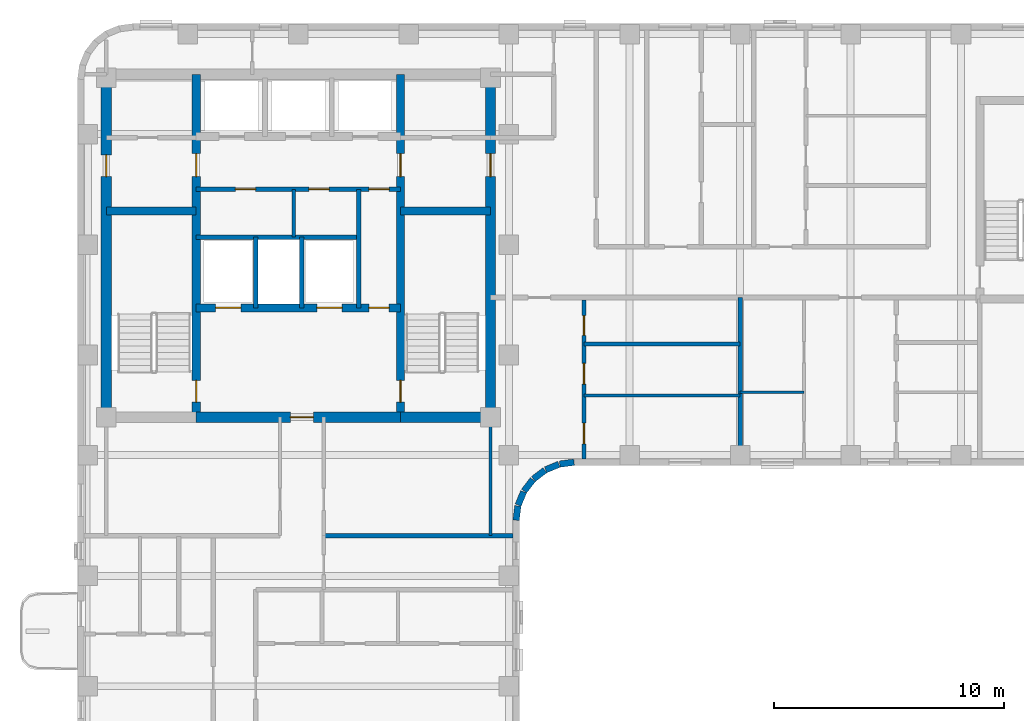
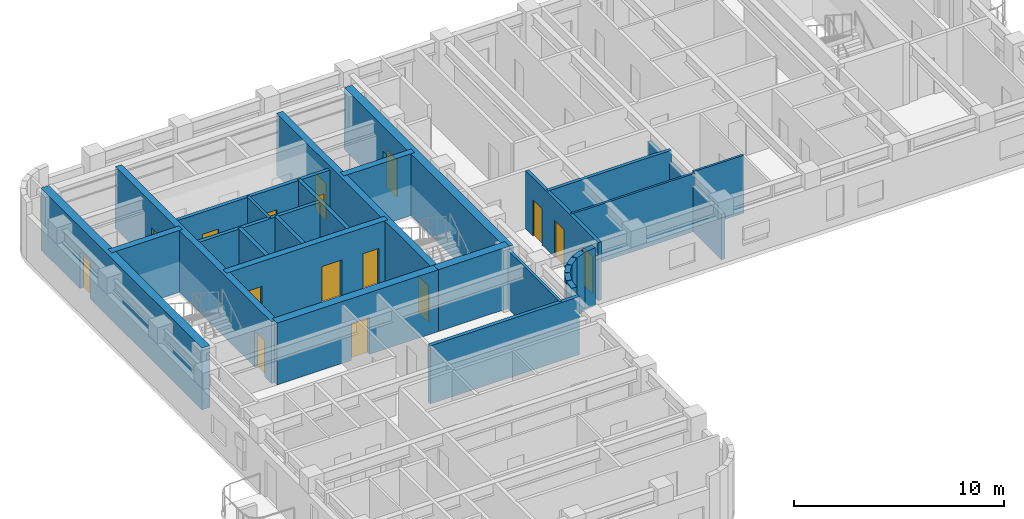
# One storey, part 4 of 10: 28 walls, 16 doors, 16 openings.
"""IFC4 building model written with IfcOpenShell, lengths in metres."""

import ifcopenshell
import ifcopenshell.guid

model = None  # the IFC model being written
_history = None  # IfcOwnerHistory: only IFC2X3 demands one
_inside = {}  # id of a spatial element -> (the spatial element, [elements in it])
_under = {}  # id of a project, library or spatial element -> (it, [spatial elements below it])
_declared = {}  # id of a project -> (the project, [libraries it declares])
_typed = {}  # id of a type object -> (the type object, [elements of that type])
_made_of = {}  # id of a material, layer set ... -> (it, [elements and type objects made of it])


def new_model(schema):
    """Start an empty IFC model of exactly this schema.

    Asked for "IFC4X3", IfcOpenShell would pick the latest addendum, in which some entities
    have other attributes; the version numbers below select the first issue.
    IFC2X3 requires an IfcOwnerHistory on every rooted entity: one is made here for all.
    """
    global model, _history
    if schema == "IFC4X3":
        model = ifcopenshell.file(schema_version=(4, 3, 0, 0))
    else:
        model = ifcopenshell.file(schema=schema)
    _inside.clear()
    _under.clear()
    _declared.clear()
    _typed.clear()
    _made_of.clear()
    _history = None
    if model.schema == "IFC2X3":
        org = make("IfcOrganization", Name="unknown")
        user = make(
            "IfcPersonAndOrganization",
            ThePerson=make("IfcPerson", FamilyName="unknown"),
            TheOrganization=org,
        )
        app = make(
            "IfcApplication",
            ApplicationDeveloper=org,
            Version="unknown",
            ApplicationFullName="unknown",
            ApplicationIdentifier="unknown",
        )
        _history = make(
            "IfcOwnerHistory",
            OwningUser=user,
            OwningApplication=app,
            ChangeAction="ADDED",
            CreationDate=0,
        )
    return model


def make(cls, **values):
    """One entity of the class cls with the attributes given. An attribute that is None is left unset."""
    return model.create_entity(
        cls, **{name: value for name, value in values.items() if value is not None}
    )


def rooted(cls, **values):
    """An entity with a GlobalId (a new one), such as an element, a storey or a relation."""
    return make(cls, GlobalId=ifcopenshell.guid.new(), OwnerHistory=_history, **values)


def si_unit(unit_type, name, prefix=None):
    """IfcSIUnit, for example si_unit("LENGTHUNIT", "METRE", prefix="MILLI")."""
    return make("IfcSIUnit", UnitType=unit_type, Prefix=prefix, Name=name)


def assignment(units):
    """IfcUnitAssignment: the units of a project."""
    return None if units is None else make("IfcUnitAssignment", Units=units)


def point(xyz):
    """IfcCartesianPoint."""
    return None if xyz is None else make("IfcCartesianPoint", Coordinates=xyz)


def direction(xyz):
    """IfcDirection."""
    return None if xyz is None else make("IfcDirection", DirectionRatios=xyz)


def frame(location, z_axis=None, x_axis=None):
    """IfcAxis2Placement3D, a coordinate frame: its origin and axes. An axis left out is left unset."""
    return make(
        "IfcAxis2Placement3D",
        Location=point(location),
        Axis=direction(z_axis),
        RefDirection=direction(x_axis),
    )


def frame_2d(location, x_axis=None):
    """IfcAxis2Placement2D, a coordinate frame in the plane: its origin and x axis."""
    return make(
        "IfcAxis2Placement2D", Location=point(location), RefDirection=direction(x_axis)
    )


def origin():
    """The frame at (0, 0, 0) with its axes left unset."""
    return frame((0.0, 0.0, 0.0))


def place(relative_to, where):
    """IfcLocalPlacement: puts the frame where relative to a parent placement (None: the world)."""
    return make(
        "IfcLocalPlacement", PlacementRelTo=relative_to, RelativePlacement=where
    )


def context(
    kind, dimensions, precision=None, world=None, true_north=None, identifier=None
):
    """IfcGeometricRepresentationContext, for example the 3D "Model" context."""
    return make(
        "IfcGeometricRepresentationContext",
        ContextIdentifier=identifier,
        ContextType=kind,
        CoordinateSpaceDimension=dimensions,
        Precision=precision,
        WorldCoordinateSystem=world,
        TrueNorth=true_north,
    )


def subcontext(parent, identifier, kind, view, scale=None):
    """IfcGeometricRepresentationSubContext, for example "Body" below "Model"."""
    return make(
        "IfcGeometricRepresentationSubContext",
        ContextIdentifier=identifier,
        ContextType=kind,
        ParentContext=parent,
        TargetScale=scale,
        TargetView=view,
    )


def project(units=None, contexts=None):
    """IfcProject with its units and contexts."""
    return rooted(
        "IfcProject",
        Name="project",
        RepresentationContexts=contexts,
        UnitsInContext=assignment(units),
    )


def spatial(cls, under=None, at=None, **own):
    """A site, building, storey or space (cls), placed at a placement, below another one or the project."""
    s = rooted(cls, ObjectPlacement=at, **own)
    if under is not None:
        _under.setdefault(under.id(), (under, []))[1].append(s)
    return s


def profile(cls, at=None, kind="AREA", **sizes):
    """A parametric profile (cls). Its sizes go by their IFC names, for example OverallWidth=200.0."""
    return make(cls, ProfileType=kind, Position=at, **sizes)


def rectangle(**sizes):
    """IfcRectangleProfileDef."""
    return profile("IfcRectangleProfileDef", **sizes)


def extrude(swept, where, along, depth):
    """IfcExtrudedAreaSolid: the profile swept, set in the frame where, extruded along a direction by depth."""
    return make(
        "IfcExtrudedAreaSolid",
        SweptArea=swept,
        Position=where,
        ExtrudedDirection=direction(along),
        Depth=depth,
    )


def shape(context_of_items, identifier, shape_type, items):
    """IfcShapeRepresentation: the items that make up one representation, for example the "Body"."""
    return make(
        "IfcShapeRepresentation",
        ContextOfItems=context_of_items,
        RepresentationIdentifier=identifier,
        RepresentationType=shape_type,
        Items=items,
    )


def material(Name=None, Category=None):
    """IfcMaterial."""
    return make("IfcMaterial", Name=Name, Category=Category)


def layer(
    of_material, thickness, ventilated=None, Name=None, Category=None, Priority=None
):
    """IfcMaterialLayer: one layer of a wall or slab, of a material (None: an air gap)."""
    return make(
        "IfcMaterialLayer",
        Material=of_material,
        LayerThickness=thickness,
        IsVentilated=ventilated,
        Name=Name,
        Category=Category,
        Priority=Priority,
    )


def layer_set(layers, Name=None):
    """IfcMaterialLayerSet."""
    return make("IfcMaterialLayerSet", MaterialLayers=layers, LayerSetName=Name)


def made_of(thing, what):
    """Note that an element or type object is made of a material, layer set ...; save() writes the relation."""
    if what is not None:
        _made_of.setdefault(what.id(), (what, []))[1].append(thing)
    return thing


def type_object(cls, material=None, **own):
    """A type object (cls), such as IfcWallType, which elements share."""
    return made_of(rooted(cls, **own), material)


def element(
    cls,
    number,
    at=None,
    inside=None,
    cuts=None,
    type_object=None,
    material=None,
    context=None,
    identifier="Body",
    shape_type=None,
    held_by="IfcProductDefinitionShape",
    body=None,
    shapes=None,
    **own,
):
    """One element of the class cls, such as IfcWall. Its Tag is "e" and its number.

    at: its placement. inside: the storey or other place that contains it. cuts: it is an
    opening in that element (IfcRelVoidsElement). A single representation is given by context,
    identifier, shape_type and body (its items); several are given by shapes. held_by: the class
    of the entity that holds the representations. save() writes the other relations.
    """
    e = rooted(cls, Tag="e%d" % number, ObjectPlacement=at, **own)
    if body is not None:
        shapes = [shape(context, identifier, shape_type, body)]
    if shapes is not None:
        e.Representation = make(held_by, Representations=shapes)
    if inside is not None:
        _inside.setdefault(inside.id(), (inside, []))[1].append(e)
    if cuts is not None:
        rooted(
            "IfcRelVoidsElement", RelatingBuildingElement=cuts, RelatedOpeningElement=e
        )
    if type_object is not None:
        _typed.setdefault(type_object.id(), (type_object, []))[1].append(e)
    return made_of(e, material)


def fill(opening, filler):
    """IfcRelFillsElement: the door or window that sits in an opening."""
    return rooted(
        "IfcRelFillsElement",
        RelatingOpeningElement=opening,
        RelatedBuildingElement=filler,
    )


def aggregate(whole, parts):
    """IfcRelAggregates: a whole, such as a stair, and the parts it consists of."""
    return rooted("IfcRelAggregates", RelatingObject=whole, RelatedObjects=parts)


def save(model, path):
    """Write the relations noted so far, then the file.

    IfcRelAggregates (storeys below a building ...), IfcRelContainedInSpatialStructure (elements
    in a storey), IfcRelDefinesByType, IfcRelAssociatesMaterial and IfcRelDeclares: one each for
    every whole, place, type object, material and project.
    """
    for whole, parts in _under.values():
        aggregate(whole, parts)
    for where, things in _inside.values():
        rooted(
            "IfcRelContainedInSpatialStructure",
            RelatedElements=things,
            RelatingStructure=where,
        )
    for kind, things in _typed.values():
        rooted("IfcRelDefinesByType", RelatedObjects=things, RelatingType=kind)
    for what, things in _made_of.values():
        rooted("IfcRelAssociatesMaterial", RelatedObjects=things, RelatingMaterial=what)
    for by, libraries in _declared.values():
        rooted("IfcRelDeclares", RelatingContext=by, RelatedDefinitions=libraries)
    model.write(path)


model = new_model("IFC4")

# Units and contexts
model_context = context("Model", 3, precision=1e-05, world=origin(), true_north=direction((0.0, 1.0)))
body_context = subcontext(model_context, "Body", "Model", "MODEL_VIEW")
ifc_project = project(units=[si_unit("LENGTHUNIT", "METRE"), si_unit("AREAUNIT", "SQUARE_METRE"), si_unit("VOLUMEUNIT", "CUBIC_METRE"), si_unit("PLANEANGLEUNIT", "RADIAN"), si_unit("MASSUNIT", "GRAM", prefix="KILO")], contexts=[model_context])

# Site, building, storey
site_placement = place(None, origin())
site = spatial("IfcSite", under=ifc_project, at=site_placement, CompositionType="ELEMENT")
building_placement = place(site_placement, origin())
building = spatial("IfcBuilding", under=site, at=building_placement, Name="Orvandelia Arch Residences", CompositionType="ELEMENT")
storey_placement = place(building_placement, frame((0.0, 0.0, 221.800048828125)))
storey = spatial("IfcBuildingStorey", under=building, at=storey_placement, Name="L58", CompositionType="ELEMENT", Elevation=221.800048828125)

# Wall, openings, doors
ifc_material_1 = material(Name="Concrete C50/60", Category="concrete")
ifc_layer_1 = layer(ifc_material_1, 0.35009765625, Name="Concrete C50/60", Category="concrete")
ifc_layer_set_1 = layer_set([ifc_layer_1], Name="Concrete C50/60")
wall_type_1 = type_object("IfcWallType", Name="WL-CORE-350", PredefinedType="SHEAR", material=ifc_layer_set_1)
wall_1_placement = place(storey_placement, frame((9.9599609375, 30.89990234375, 0.0), z_axis=(0.0, 0.0, 1.0), x_axis=(0.0, 1.0, 0.0)))
wall_1 = element("IfcWall", 1, at=wall_1_placement, inside=storey, type_object=wall_type_1, Name="Core Shear Wall L58-WEB1", PredefinedType="SHEAR", context=body_context, shape_type="SweptSolid", body=[
    extrude(rectangle(XDim=14.900146484375, YDim=0.35009765625, at=frame_2d((7.4501953125, 0.0))), origin(), (0.0, 0.0, 1.0), 3.599853515625),
])
opening_1_placement = place(wall_1_placement, frame((0.64990234375, 0.0, 0.0)))
opening_1 = element("IfcOpeningElement", 2, at=opening_1_placement, cuts=wall_1, Name="Opening D7", PredefinedType="OPENING", context=body_context, shape_type="SweptSolid", body=[
    extrude(rectangle(XDim=0.949951171875, YDim=2.10009765625, at=frame_2d((0.47509765625, 1.050048828125))), frame((0.0, 0.18505859375, 0.0), z_axis=(0.0, -1.0, 0.0), x_axis=(1.0, 0.0, 0.0)), (0.0, 0.0, 1.0), 0.3701171875),
])
opening_2_placement = place(wall_1_placement, frame((10.449951171875, 0.0, 0.0)))
opening_2 = element("IfcOpeningElement", 3, at=opening_2_placement, cuts=wall_1, Name="Opening D6", PredefinedType="OPENING", context=body_context, shape_type="SweptSolid", body=[
    extrude(rectangle(XDim=1.0, YDim=2.14990234375, at=frame_2d((0.5, 1.074951171875))), frame((0.0, 0.18505859375, 0.0), z_axis=(0.0, -1.0, 0.0), x_axis=(1.0, 0.0, 0.0)), (0.0, 0.0, 1.0), 0.3701171875),
])
ifc_material_2 = material(Name="Smokeproof Painted Steel Fire Door", Category="steel")
door_type_1 = type_object("IfcDoorType", Name="DR-FD60-1000", OperationType="NOTDEFINED", PredefinedType="DOOR", material=ifc_material_2)
door_1_placement = place(opening_2_placement, origin())
door_1 = element("IfcDoor", 4, at=door_1_placement, inside=storey, type_object=door_type_1, Name="High-Rise Lift Hall West Vestibule Door L58", OperationType="SINGLE_SWING_LEFT", OverallHeight=2.14990234375, OverallWidth=1.0, PredefinedType="DOOR", context=body_context, shape_type="SweptSolid", body=[
    extrude(rectangle(XDim=1.0, YDim=2.14990234375, at=frame_2d((0.5, 1.074951171875))), frame((0.0, 0.02490234375, 0.0), z_axis=(0.0, -1.0, 0.0), x_axis=(1.0, 0.0, 0.0)), (0.0, 0.0, 1.0), 0.050048828125),
])
fill(opening_2, door_1)
ifc_material_3 = material(Name="Pressurised Stairwell Fire Door")
door_type_2 = type_object("IfcDoorType", Name="DR-STAIR-950", OperationType="NOTDEFINED", PredefinedType="DOOR", material=ifc_material_3)
door_2_placement = place(opening_1_placement, origin())
door_2 = element("IfcDoor", 5, at=door_2_placement, inside=storey, type_object=door_type_2, Name="Stairwell ST-1 Fire Door L58", OperationType="SINGLE_SWING_LEFT", OverallHeight=2.10009765625, OverallWidth=0.949951171875, PredefinedType="DOOR", context=body_context, shape_type="SweptSolid", body=[
    extrude(rectangle(XDim=0.949951171875, YDim=2.10009765625, at=frame_2d((0.47509765625, 1.050048828125))), frame((0.0, 0.02490234375, 0.0), z_axis=(0.0, -1.0, 0.0), x_axis=(1.0, 0.0, 0.0)), (0.0, 0.0, 1.0), 0.050048828125),
])
fill(opening_1, door_2)

wall_2_placement = place(storey_placement, frame((18.840087890625, 30.89990234375, 0.0), z_axis=(0.0, 0.0, 1.0), x_axis=(0.0, 1.0, 0.0)))
wall_2 = element("IfcWall", 6, at=wall_2_placement, inside=storey, type_object=wall_type_1, Name="Core Shear Wall L58-WEB2", PredefinedType="SHEAR", context=body_context, shape_type="SweptSolid", body=[
    extrude(rectangle(XDim=14.900146484375, YDim=0.35009765625, at=frame_2d((7.4501953125, 0.0))), origin(), (0.0, 0.0, 1.0), 3.599853515625),
])
opening_3_placement = place(wall_2_placement, frame((0.64990234375, 0.0, 0.0)))
opening_3 = element("IfcOpeningElement", 7, at=opening_3_placement, cuts=wall_2, Name="Opening D7", PredefinedType="OPENING", context=body_context, shape_type="SweptSolid", body=[
    extrude(rectangle(XDim=0.949951171875, YDim=2.10009765625, at=frame_2d((0.47509765625, 1.050048828125))), frame((0.0, 0.18505859375, 0.0), z_axis=(0.0, -1.0, 0.0), x_axis=(1.0, 0.0, 0.0)), (0.0, 0.0, 1.0), 0.3701171875),
])
opening_4_placement = place(wall_2_placement, frame((10.449951171875, 0.0, 0.0)))
opening_4 = element("IfcOpeningElement", 8, at=opening_4_placement, cuts=wall_2, Name="Opening D6", PredefinedType="OPENING", context=body_context, shape_type="SweptSolid", body=[
    extrude(rectangle(XDim=1.0, YDim=2.14990234375, at=frame_2d((0.5, 1.074951171875))), frame((0.0, 0.18505859375, 0.0), z_axis=(0.0, -1.0, 0.0), x_axis=(1.0, 0.0, 0.0)), (0.0, 0.0, 1.0), 0.3701171875),
])
door_3_placement = place(opening_4_placement, origin())
door_3 = element("IfcDoor", 9, at=door_3_placement, inside=storey, type_object=door_type_1, Name="High-Rise Lift Hall East Vestibule Door L58", OperationType="SINGLE_SWING_RIGHT", OverallHeight=2.14990234375, OverallWidth=1.0, PredefinedType="DOOR", context=body_context, shape_type="SweptSolid", body=[
    extrude(rectangle(XDim=1.0, YDim=2.14990234375, at=frame_2d((0.5, 1.074951171875))), frame((0.0, 0.02490234375, 0.0), z_axis=(0.0, -1.0, 0.0), x_axis=(1.0, 0.0, 0.0)), (0.0, 0.0, 1.0), 0.050048828125),
])
fill(opening_4, door_3)
door_4_placement = place(opening_3_placement, origin())
door_4 = element("IfcDoor", 10, at=door_4_placement, inside=storey, type_object=door_type_2, Name="Stairwell ST-2 Fire Door L58", OperationType="SINGLE_SWING_RIGHT", OverallHeight=2.10009765625, OverallWidth=0.949951171875, PredefinedType="DOOR", context=body_context, shape_type="SweptSolid", body=[
    extrude(rectangle(XDim=0.949951171875, YDim=2.10009765625, at=frame_2d((0.47509765625, 1.050048828125))), frame((0.0, 0.02490234375, 0.0), z_axis=(0.0, -1.0, 0.0), x_axis=(1.0, 0.0, 0.0)), (0.0, 0.0, 1.0), 0.050048828125),
])
fill(opening_3, door_4)

# Walls
for number, where, z_axis, x_axis, name in (
    (11, (6.050048828125, 39.85009765625, 0.0), (0.0, 0.0, 1.0), (1.0, 0.0, 0.0), "Core Shear Wall L58-HZ1"),
    (12, (18.840087890625, 39.85009765625, 0.0), (0.0, 0.0, 1.0), (1.0, 0.0, 0.0), "Core Shear Wall L58-HZ2"),
):
    element("IfcWall", number, at=place(storey_placement, frame(where, z_axis=z_axis, x_axis=x_axis)), inside=storey, type_object=wall_type_1, Name=name, PredefinedType="SHEAR", context=body_context, shape_type="SweptSolid", body=[
        extrude(rectangle(XDim=3.909912109375, YDim=0.35009765625, at=frame_2d((1.955078125, 0.0))), origin(), (0.0, 0.0, 1.0), 3.599853515625),
    ])

# Wall, openings, doors
wall_3_placement = place(storey_placement, frame((9.9599609375, 35.64990234375, 0.0), z_axis=(0.0, 0.0, 1.0), x_axis=(1.0, 0.0, 0.0)))
wall_3 = element("IfcWall", 13, at=wall_3_placement, inside=storey, type_object=wall_type_1, Name="Core Shear Wall L58-HZ3", PredefinedType="SHEAR", context=body_context, shape_type="SweptSolid", body=[
    extrude(rectangle(XDim=8.880126953125, YDim=0.35009765625, at=frame_2d((4.43994140625, 0.0))), origin(), (0.0, 0.0, 1.0), 3.599853515625),
])
opening_5_placement = place(wall_3_placement, frame((0.840087890625, 0.0, 0.0)))
opening_5 = element("IfcOpeningElement", 14, at=opening_5_placement, cuts=wall_3, Name="Opening FLD", PredefinedType="OPENING", context=body_context, shape_type="SweptSolid", body=[
    extrude(rectangle(XDim=1.10009765625, YDim=2.14990234375, at=frame_2d((0.550048828125, 1.074951171875))), frame((0.0, 0.18505859375, 0.0), z_axis=(0.0, -1.0, 0.0), x_axis=(1.0, 0.0, 0.0)), (0.0, 0.0, 1.0), 0.3701171875),
])
opening_6_placement = place(wall_3_placement, frame((5.239990234375, 0.0, 0.0)))
opening_6 = element("IfcOpeningElement", 15, at=opening_6_placement, cuts=wall_3, Name="Opening FLD", PredefinedType="OPENING", context=body_context, shape_type="SweptSolid", body=[
    extrude(rectangle(XDim=1.10009765625, YDim=2.14990234375, at=frame_2d((0.550048828125, 1.074951171875))), frame((0.0, 0.18505859375, 0.0), z_axis=(0.0, -1.0, 0.0), x_axis=(1.0, 0.0, 0.0)), (0.0, 0.0, 1.0), 0.3701171875),
])
opening_7_placement = place(wall_3_placement, frame((7.5, 0.0, 0.0)))
opening_7 = element("IfcOpeningElement", 16, at=opening_7_placement, cuts=wall_3, Name="Opening D5", PredefinedType="OPENING", context=body_context, shape_type="SweptSolid", body=[
    extrude(rectangle(XDim=0.8798828125, YDim=2.10009765625, at=frame_2d((0.43994140625, 1.050048828125))), frame((0.0, 0.18505859375, 0.0), z_axis=(0.0, -1.0, 0.0), x_axis=(1.0, 0.0, 0.0)), (0.0, 0.0, 1.0), 0.3701171875),
])
ifc_material_4 = material(Name="Firefighting Lift Stainless Sliding Door")
door_type_3 = type_object("IfcDoorType", Name="DR-FLFT-1100", OperationType="NOTDEFINED", PredefinedType="DOOR", material=ifc_material_4)
door_5_placement = place(opening_5_placement, origin())
door_5 = element("IfcDoor", 17, at=door_5_placement, inside=storey, type_object=door_type_3, Name="Firefighting Lift Landing Door FLD-FL1-L58", OperationType="SLIDING_TO_LEFT", OverallHeight=2.14990234375, OverallWidth=1.10009765625, PredefinedType="DOOR", context=body_context, shape_type="SweptSolid", body=[
    extrude(rectangle(XDim=1.10009765625, YDim=2.14990234375, at=frame_2d((0.550048828125, 1.074951171875))), frame((0.0, 0.02490234375, 0.0), z_axis=(0.0, -1.0, 0.0), x_axis=(1.0, 0.0, 0.0)), (0.0, 0.0, 1.0), 0.050048828125),
])
fill(opening_5, door_5)
door_6_placement = place(opening_6_placement, origin())
door_6 = element("IfcDoor", 18, at=door_6_placement, inside=storey, type_object=door_type_3, Name="Firefighting Lift Landing Door FLD-FL2-L58", OperationType="SLIDING_TO_RIGHT", OverallHeight=2.14990234375, OverallWidth=1.10009765625, PredefinedType="DOOR", context=body_context, shape_type="SweptSolid", body=[
    extrude(rectangle(XDim=1.10009765625, YDim=2.14990234375, at=frame_2d((0.550048828125, 1.074951171875))), frame((0.0, 0.02490234375, 0.0), z_axis=(0.0, -1.0, 0.0), x_axis=(1.0, 0.0, 0.0)), (0.0, 0.0, 1.0), 0.050048828125),
])
fill(opening_6, door_6)
ifc_material_5 = material(Name="Painted Galvanised Steel Service Door", Category="steel")
door_type_4 = type_object("IfcDoorType", Name="DR-SRV-880", OperationType="NOTDEFINED", PredefinedType="DOOR", material=ifc_material_5)
door_7_placement = place(opening_7_placement, origin())
door_7 = element("IfcDoor", 19, at=door_7_placement, inside=storey, type_object=door_type_4, Name="Core Stairway Passage South Fire Door L58", OperationType="SINGLE_SWING_LEFT", OverallHeight=2.10009765625, OverallWidth=0.8798828125, PredefinedType="DOOR", context=body_context, shape_type="SweptSolid", body=[
    extrude(rectangle(XDim=0.8798828125, YDim=2.10009765625, at=frame_2d((0.43994140625, 1.050048828125))), frame((0.0, 0.02490234375, 0.0), z_axis=(0.0, -1.0, 0.0), x_axis=(1.0, 0.0, 0.0)), (0.0, 0.0, 1.0), 0.050048828125),
])
fill(opening_7, door_7)

# Wall, opening, door
ifc_layer_2 = layer(ifc_material_1, 0.449951171875, Name="Concrete C50/60", Category="concrete")
ifc_layer_set_2 = layer_set([ifc_layer_2], Name="Concrete C50/60")
wall_type_2 = type_object("IfcWallType", Name="WL-CORE-450", PredefinedType="SHEAR", material=ifc_layer_set_2)
wall_4_placement = place(storey_placement, frame((6.050048828125, 30.675048828125, 0.0), z_axis=(0.0, 0.0, 1.0), x_axis=(0.0, 1.0, 0.0)))
wall_4 = element("IfcWall", 20, at=wall_4_placement, inside=storey, type_object=wall_type_2, Name="Core Shear Wall L58-W", PredefinedType="SHEAR", context=body_context, shape_type="SweptSolid", body=[
    extrude(rectangle(XDim=15.349853515625, YDim=0.449951171875, at=frame_2d((7.6748046875, 0.0))), origin(), (0.0, 0.0, 1.0), 3.599853515625),
])
opening_8_placement = place(wall_4_placement, frame((10.675048828125, 0.0, 0.0)))
opening_8 = element("IfcOpeningElement", 21, at=opening_8_placement, cuts=wall_4, Name="Opening D2", PredefinedType="OPENING", context=body_context, shape_type="SweptSolid", body=[
    extrude(rectangle(XDim=0.949951171875, YDim=2.14990234375, at=frame_2d((0.47509765625, 1.074951171875))), frame((0.0, 0.23486328125, 0.0), z_axis=(0.0, -1.0, 0.0), x_axis=(1.0, 0.0, 0.0)), (0.0, 0.0, 1.0), 0.469970703125),
])
ifc_material_6 = material(Name="Solid-Core Timber Interior Fire Door", Category="wood")
door_type_5 = type_object("IfcDoorType", Name="DR-APT-950", OperationType="NOTDEFINED", PredefinedType="DOOR", material=ifc_material_6)
door_8_placement = place(opening_8_placement, origin())
door_8 = element("IfcDoor", 22, at=door_8_placement, inside=storey, type_object=door_type_5, Name="West Viewing Study Door L58", OperationType="SINGLE_SWING_RIGHT", OverallHeight=2.14990234375, OverallWidth=0.949951171875, PredefinedType="DOOR", context=body_context, shape_type="SweptSolid", body=[
    extrude(rectangle(XDim=0.949951171875, YDim=2.14990234375, at=frame_2d((0.47509765625, 1.074951171875))), frame((0.0, 0.02490234375, 0.0), z_axis=(0.0, -1.0, 0.0), x_axis=(1.0, 0.0, 0.0)), (0.0, 0.0, 1.0), 0.050048828125),
])
fill(opening_8, door_8)

wall_5_placement = place(storey_placement, frame((22.75, 30.675048828125, 0.0), z_axis=(0.0, 0.0, 1.0), x_axis=(0.0, 1.0, 0.0)))
wall_5 = element("IfcWall", 23, at=wall_5_placement, inside=storey, type_object=wall_type_2, Name="Core Shear Wall L58-E", PredefinedType="SHEAR", context=body_context, shape_type="SweptSolid", body=[
    extrude(rectangle(XDim=15.349853515625, YDim=0.449951171875, at=frame_2d((7.6748046875, 0.0))), origin(), (0.0, 0.0, 1.0), 3.599853515625),
])
opening_9_placement = place(wall_5_placement, frame((10.675048828125, 0.0, 0.0)))
opening_9 = element("IfcOpeningElement", 24, at=opening_9_placement, cuts=wall_5, Name="Opening D6", PredefinedType="OPENING", context=body_context, shape_type="SweptSolid", body=[
    extrude(rectangle(XDim=1.0, YDim=2.14990234375, at=frame_2d((0.5, 1.074951171875))), frame((0.0, 0.23486328125, 0.0), z_axis=(0.0, -1.0, 0.0), x_axis=(1.0, 0.0, 0.0)), (0.0, 0.0, 1.0), 0.469970703125),
])
door_9_placement = place(opening_9_placement, origin())
door_9 = element("IfcDoor", 25, at=door_9_placement, inside=storey, type_object=door_type_1, Name="Core East Corridor Link Door L58", OperationType="SINGLE_SWING_LEFT", OverallHeight=2.14990234375, OverallWidth=1.0, PredefinedType="DOOR", context=body_context, shape_type="SweptSolid", body=[
    extrude(rectangle(XDim=1.0, YDim=2.14990234375, at=frame_2d((0.5, 1.074951171875))), frame((0.0, 0.02490234375, 0.0), z_axis=(0.0, -1.0, 0.0), x_axis=(1.0, 0.0, 0.0)), (0.0, 0.0, 1.0), 0.050048828125),
])
fill(opening_9, door_9)

wall_6_placement = place(storey_placement, frame((9.9599609375, 30.89990234375, 0.0), z_axis=(0.0, 0.0, 1.0), x_axis=(1.0, 0.0, 0.0)))
wall_6 = element("IfcWall", 26, at=wall_6_placement, inside=storey, type_object=wall_type_2, Name="Core Shear Wall L58-SM", PredefinedType="SHEAR", context=body_context, shape_type="SweptSolid", body=[
    extrude(rectangle(XDim=8.880126953125, YDim=0.449951171875, at=frame_2d((4.43994140625, 0.0))), origin(), (0.0, 0.0, 1.0), 3.599853515625),
])
opening_10_placement = place(wall_6_placement, frame((4.090087890625, 0.0, 0.0)))
opening_10 = element("IfcOpeningElement", 27, at=opening_10_placement, cuts=wall_6, Name="Opening D6", PredefinedType="OPENING", context=body_context, shape_type="SweptSolid", body=[
    extrude(rectangle(XDim=1.0, YDim=2.14990234375, at=frame_2d((0.5, 1.074951171875))), frame((0.0, 0.23486328125, 0.0), z_axis=(0.0, -1.0, 0.0), x_axis=(1.0, 0.0, 0.0)), (0.0, 0.0, 1.0), 0.469970703125),
])
door_10_placement = place(opening_10_placement, origin())
door_10 = element("IfcDoor", 28, at=door_10_placement, inside=storey, type_object=door_type_1, Name="Firefighting Lobby Smokeproof Door L58", OperationType="SINGLE_SWING_LEFT", OverallHeight=2.14990234375, OverallWidth=1.0, PredefinedType="DOOR", context=body_context, shape_type="SweptSolid", body=[
    extrude(rectangle(XDim=1.0, YDim=2.14990234375, at=frame_2d((0.5, 1.074951171875))), frame((0.0, 0.02490234375, 0.0), z_axis=(0.0, -1.0, 0.0), x_axis=(1.0, 0.0, 0.0)), (0.0, 0.0, 1.0), 0.050048828125),
])
fill(opening_10, door_10)

# Walls
wall_7_placement = place(storey_placement, frame((18.840087890625, 30.89990234375, 0.0), z_axis=(0.0, 0.0, 1.0), x_axis=(1.0, 0.0, 0.0)))
element("IfcWall", 29, at=wall_7_placement, inside=storey, type_object=wall_type_2, Name="Core Shear Wall L58-SE", PredefinedType="SHEAR", context=body_context, shape_type="SweptSolid", body=[
    extrude(rectangle(XDim=3.909912109375, YDim=0.449951171875, at=frame_2d((1.955078125, 0.0))), origin(), (0.0, 0.0, 1.0), 3.599853515625),
])
ifc_material_7 = material(Name="Fire-Rated Corridor Partition")
ifc_layer_3 = layer(ifc_material_7, 0.199951171875, Name="Fire-Rated Corridor Partition")
ifc_layer_set_3 = layer_set([ifc_layer_3], Name="Fire-Rated Corridor Partition")
wall_type_3 = type_object("IfcWallType", Name="WL-CORR-200", PredefinedType="PARTITIONING", material=ifc_layer_set_3)
wall_8_placement = place(storey_placement, frame((15.5, 25.75, 0.0), z_axis=(0.0, 0.0, 1.0), x_axis=(1.0, 0.0, 0.0)))
element("IfcWall", 30, at=wall_8_placement, inside=storey, type_object=wall_type_3, Name="Interior Partition Wall WL-L58-WLNK-NE2", PredefinedType="PARTITIONING", context=body_context, shape_type="SweptSolid", body=[
    extrude(rectangle(XDim=8.219970703125, YDim=0.199951171875, at=frame_2d((4.10986328125, 0.0))), origin(), (0.0, 0.0, 1.0), 3.3798828125),
])
ifc_material_8 = material(Name="Concrete C40/50", Category="concrete")
ifc_layer_4 = layer(ifc_material_8, 0.199951171875, Name="Concrete C40/50", Category="concrete")
ifc_layer_set_4 = layer_set([ifc_layer_4], Name="Concrete C40/50")
wall_type_4 = type_object("IfcWallType", Name="WL-DEM-200", PredefinedType="SOLIDWALL", material=ifc_layer_set_4)
wall_9_placement = place(storey_placement, frame((33.60009765625, 29.080078125, 0.0), z_axis=(0.0, 0.0, 1.0), x_axis=(0.0, 1.0, 0.0)))
element("IfcWall", 31, at=wall_9_placement, inside=storey, type_object=wall_type_4, Name="Interior Partition Wall WL-L58-DEM-EMS-336", PredefinedType="SOLIDWALL", context=body_context, shape_type="SweptSolid", body=[
    extrude(rectangle(XDim=7.02001953125, YDim=0.199951171875, at=frame_2d((3.510009765625, 0.0))), origin(), (0.0, 0.0, 1.0), 2.659912109375),
])
ifc_material_9 = material(Name="Precast concrete C40/50", Category="concrete")
ifc_layer_5 = layer(ifc_material_9, 0.280029296875, Name="Precast concrete C40/50", Category="concrete")
ifc_layer_set_5 = layer_set([ifc_layer_5], Name="Precast concrete C40/50")
wall_type_5 = type_object("IfcWallType", Name="WL-EXT-STONE-280", PredefinedType="STANDARD", material=ifc_layer_set_5)
wall_10_placement = place(storey_placement, frame((26.381591796875, 28.938720703125, 0.0), z_axis=(0.0, 0.0, 1.0), x_axis=(-0.9914410257, -0.130555323746, 0.0)))
element("IfcWall", 32, at=wall_10_placement, inside=storey, type_object=wall_type_5, Name="Coral-Limestone Precast Facade Wall L58-022", PredefinedType="STANDARD", context=body_context, shape_type="SweptSolid", body=[
    extrude(rectangle(XDim=0.62646484375, YDim=0.280029296875, at=frame_2d((0.313232421875, 0.0))), origin(), (0.0, 0.0, 1.0), 3.3798828125),
])
wall_11_placement = place(storey_placement, frame((25.72509765625, 28.847412109375, 0.0), z_axis=(0.0, 0.0, 1.0), x_axis=(-0.923974080304, -0.382455093999, 0.0)))
element("IfcWall", 33, at=wall_11_placement, inside=storey, type_object=wall_type_5, Name="Coral-Limestone Precast Facade Wall L58-023", PredefinedType="STANDARD", context=body_context, shape_type="SweptSolid", body=[
    extrude(rectangle(XDim=0.626220703125, YDim=0.280029296875, at=frame_2d((0.31298828125, 0.0))), origin(), (0.0, 0.0, 1.0), 3.3798828125),
])
for number, where, z_axis, x_axis, name in (
    (34, (25.11474609375, 28.589599609375, 0.0), (0.0, 0.0, 1.0), (-0.793405610854, -0.608693302629, 0.0), "Coral-Limestone Precast Facade Wall L58-024"),
    (35, (24.591796875, 28.182373046875, 0.0), (0.0, 0.0, 1.0), (-0.608693302629, -0.793405610854, 0.0), "Coral-Limestone Precast Facade Wall L58-025"),
    (36, (24.192138671875, 27.653564453125, 0.0), (0.0, 0.0, 1.0), (-0.382650053678, -0.92389335771, 0.0), "Coral-Limestone Precast Facade Wall L58-026"),
):
    element("IfcWall", number, at=place(storey_placement, frame(where, z_axis=z_axis, x_axis=x_axis)), inside=storey, type_object=wall_type_5, Name=name, PredefinedType="STANDARD", context=body_context, shape_type="SweptSolid", body=[
        extrude(rectangle(XDim=0.62646484375, YDim=0.280029296875, at=frame_2d((0.313232421875, 0.0))), origin(), (0.0, 0.0, 1.0), 3.3798828125),
    ])
wall_12_placement = place(storey_placement, frame((23.943115234375, 27.03955078125, 0.0), z_axis=(0.0, 0.0, 1.0), x_axis=(-0.130887801573, -0.991397187508, 0.0)))
element("IfcWall", 37, at=wall_12_placement, inside=storey, type_object=wall_type_5, Name="Coral-Limestone Precast Facade Wall L58-027", PredefinedType="STANDARD", context=body_context, shape_type="SweptSolid", body=[
    extrude(rectangle(XDim=0.626708984375, YDim=0.280029296875, at=frame_2d((0.3134765625, 0.0))), origin(), (0.0, 0.0, 1.0), 3.3798828125),
])
ifc_material_10 = material(Name="Lightweight Gypsum Stud Partition")
ifc_layer_6 = layer(ifc_material_10, 0.1201171875, Name="Lightweight Gypsum Stud Partition")
ifc_layer_set_6 = layer_set([ifc_layer_6], Name="Lightweight Gypsum Stud Partition")
wall_type_6 = type_object("IfcWallType", Name="WL-PART-120", PredefinedType="PARTITIONING", material=ifc_layer_set_6)
wall_13_placement = place(storey_placement, frame((26.81298828125, 31.8359375, 0.0), z_axis=(0.0, 0.0, 1.0), x_axis=(1.0, 0.0, 0.0)))
element("IfcWall", 38, at=wall_13_placement, inside=storey, type_object=wall_type_6, Name="Interior Partition Wall WL-L58-U05-H1", PredefinedType="PARTITIONING", context=body_context, shape_type="SweptSolid", body=[
    extrude(rectangle(XDim=6.787109375, YDim=0.1201171875, at=frame_2d((3.3935546875, 0.0))), origin(), (0.0, 0.0, 1.0), 3.3798828125),
])
wall_14_placement = place(storey_placement, frame((33.60009765625, 31.97509765625, 0.0), z_axis=(0.0, 0.0, 1.0), x_axis=(1.0, 0.0, 0.0)))
element("IfcWall", 39, at=wall_14_placement, inside=storey, type_object=wall_type_6, Name="Interior Partition Wall WL-L58-U06-HB", PredefinedType="PARTITIONING", context=body_context, shape_type="SweptSolid", body=[
    extrude(rectangle(XDim=2.77490234375, YDim=0.1201171875, at=frame_2d((1.387451171875, 0.0))), origin(), (0.0, 0.0, 1.0), 3.3798828125),
])
ifc_material_11 = material(Name="Acoustic Gypsum Stud Partition")
ifc_layer_7 = layer(ifc_material_11, 0.14990234375, Name="Acoustic Gypsum Stud Partition")
ifc_layer_set_7 = layer_set([ifc_layer_7], Name="Acoustic Gypsum Stud Partition")
wall_type_7 = type_object("IfcWallType", Name="WL-PART-150", PredefinedType="PARTITIONING", material=ifc_layer_set_7)
wall_15_placement = place(storey_placement, frame((14.199951171875, 38.719970703125, 0.0), z_axis=(0.0, 0.0, 1.0), x_axis=(0.0, 1.0, 0.0)))
element("IfcWall", 40, at=wall_15_placement, inside=storey, type_object=wall_type_7, Name="Interior Partition Wall WL-L58-CSA-1", PredefinedType="PARTITIONING", context=body_context, shape_type="SweptSolid", body=[
    extrude(rectangle(XDim=2.080078125, YDim=0.14990234375, at=frame_2d((1.0400390625, 0.0))), origin(), (0.0, 0.0, 1.0), 3.3798828125),
])
wall_16_placement = place(storey_placement, frame((22.75, 25.75, 0.0), z_axis=(0.0, 0.0, 1.0), x_axis=(0.0, 1.0, 0.0)))
element("IfcWall", 41, at=wall_16_placement, inside=storey, type_object=wall_type_7, Name="Interior Partition Wall WL-L58-HI-WE", PredefinedType="PARTITIONING", context=body_context, shape_type="SweptSolid", body=[
    extrude(rectangle(XDim=5.14990234375, YDim=0.14990234375, at=frame_2d((2.574951171875, 0.0))), origin(), (0.0, 0.0, 1.0), 3.3798828125),
])
ifc_material_12 = material(Name="Fire-Rated Shaft Enclosure Wall")
ifc_layer_8 = layer(ifc_material_12, 0.199951171875, Name="Fire-Rated Shaft Enclosure Wall")
ifc_layer_set_8 = layer_set([ifc_layer_8], Name="Fire-Rated Shaft Enclosure Wall")
wall_type_8 = type_object("IfcWallType", Name="WL-SHAFT-200", PredefinedType="POLYGONAL", material=ifc_layer_set_8)
wall_17_placement = place(storey_placement, frame((9.9599609375, 38.719970703125, 0.0), z_axis=(0.0, 0.0, 1.0), x_axis=(1.0, 0.0, 0.0)))
element("IfcWall", 42, at=wall_17_placement, inside=storey, type_object=wall_type_8, Name="Interior Partition Wall WL-L58-FLN", PredefinedType="POLYGONAL", context=body_context, shape_type="SweptSolid", body=[
    extrude(rectangle(XDim=7.06005859375, YDim=0.199951171875, at=frame_2d((3.530029296875, 0.0))), origin(), (0.0, 0.0, 1.0), 3.3798828125),
])
for number, where, z_axis, x_axis, name in (
    (43, (12.550048828125, 35.64990234375, 0.0), (0.0, 0.0, 1.0), (0.0, 1.0, 0.0), "Interior Partition Wall WL-L58-FLM1"),
    (44, (14.550048828125, 35.64990234375, 0.0), (0.0, 0.0, 1.0), (0.0, 1.0, 0.0), "Interior Partition Wall WL-L58-FLM2"),
):
    element("IfcWall", number, at=place(storey_placement, frame(where, z_axis=z_axis, x_axis=x_axis)), inside=storey, type_object=wall_type_8, Name=name, PredefinedType="POLYGONAL", context=body_context, shape_type="SweptSolid", body=[
        extrude(rectangle(XDim=3.070068359375, YDim=0.199951171875, at=frame_2d((1.53515625, 0.0))), origin(), (0.0, 0.0, 1.0), 3.3798828125),
    ])
wall_18_placement = place(storey_placement, frame((17.02001953125, 35.64990234375, 0.0), z_axis=(0.0, 0.0, 1.0), x_axis=(0.0, 1.0, 0.0)))
element("IfcWall", 45, at=wall_18_placement, inside=storey, type_object=wall_type_8, Name="Interior Partition Wall WL-L58-FLM3", PredefinedType="POLYGONAL", context=body_context, shape_type="SweptSolid", body=[
    extrude(rectangle(XDim=5.150146484375, YDim=0.199951171875, at=frame_2d((2.5751953125, 0.0))), origin(), (0.0, 0.0, 1.0), 3.3798828125),
])

# Wall, openings, doors
wall_19_placement = place(storey_placement, frame((9.9599609375, 40.800048828125, 0.0), z_axis=(0.0, 0.0, 1.0), x_axis=(1.0, 0.0, 0.0)))
wall_19 = element("IfcWall", 46, at=wall_19_placement, inside=storey, type_object=wall_type_8, Name="Interior Partition Wall WL-L58-HLH-S", PredefinedType="POLYGONAL", context=body_context, shape_type="SweptSolid", body=[
    extrude(rectangle(XDim=8.880126953125, YDim=0.199951171875, at=frame_2d((4.43994140625, 0.0))), origin(), (0.0, 0.0, 1.0), 3.3798828125),
])
opening_11_placement = place(wall_19_placement, frame((7.5, 0.0, 0.0)))
opening_11 = element("IfcOpeningElement", 47, at=opening_11_placement, cuts=wall_19, Name="Opening D5", PredefinedType="OPENING", context=body_context, shape_type="SweptSolid", body=[
    extrude(rectangle(XDim=0.8798828125, YDim=2.10009765625, at=frame_2d((0.43994140625, 1.050048828125))), frame((0.0, 0.10986328125, 0.0), z_axis=(0.0, -1.0, 0.0), x_axis=(1.0, 0.0, 0.0)), (0.0, 0.0, 1.0), 0.219970703125),
])
opening_12_placement = place(wall_19_placement, frame((1.699951171875, 0.0, 0.0)))
opening_12 = element("IfcOpeningElement", 48, at=opening_12_placement, cuts=wall_19, Name="Opening D5", PredefinedType="OPENING", context=body_context, shape_type="SweptSolid", body=[
    extrude(rectangle(XDim=0.8798828125, YDim=2.10009765625, at=frame_2d((0.43994140625, 1.050048828125))), frame((0.0, 0.10986328125, 0.0), z_axis=(0.0, -1.0, 0.0), x_axis=(1.0, 0.0, 0.0)), (0.0, 0.0, 1.0), 0.219970703125),
])
opening_13_placement = place(wall_19_placement, frame((4.89990234375, 0.0, 0.0)))
opening_13 = element("IfcOpeningElement", 49, at=opening_13_placement, cuts=wall_19, Name="Opening D5", PredefinedType="OPENING", context=body_context, shape_type="SweptSolid", body=[
    extrude(rectangle(XDim=0.8798828125, YDim=2.10009765625, at=frame_2d((0.43994140625, 1.050048828125))), frame((0.0, 0.10986328125, 0.0), z_axis=(0.0, -1.0, 0.0), x_axis=(1.0, 0.0, 0.0)), (0.0, 0.0, 1.0), 0.219970703125),
])
door_11_placement = place(opening_11_placement, origin())
door_11 = element("IfcDoor", 50, at=door_11_placement, inside=storey, type_object=door_type_4, Name="Core Stairway Passage North Fire Door L58", OperationType="SINGLE_SWING_RIGHT", OverallHeight=2.10009765625, OverallWidth=0.8798828125, PredefinedType="DOOR", context=body_context, shape_type="SweptSolid", body=[
    extrude(rectangle(XDim=0.8798828125, YDim=2.10009765625, at=frame_2d((0.43994140625, 1.050048828125))), frame((0.0, 0.02490234375, 0.0), z_axis=(0.0, -1.0, 0.0), x_axis=(1.0, 0.0, 0.0)), (0.0, 0.0, 1.0), 0.050048828125),
])
fill(opening_11, door_11)
door_12_placement = place(opening_12_placement, origin())
door_12 = element("IfcDoor", 51, at=door_12_placement, inside=storey, type_object=door_type_4, Name="DR-L58-CSA1", OperationType="SINGLE_SWING_LEFT", OverallHeight=2.10009765625, OverallWidth=0.8798828125, PredefinedType="DOOR", context=body_context, shape_type="SweptSolid", body=[
    extrude(rectangle(XDim=0.8798828125, YDim=2.10009765625, at=frame_2d((0.43994140625, 1.050048828125))), frame((0.0, 0.02490234375, 0.0), z_axis=(0.0, -1.0, 0.0), x_axis=(1.0, 0.0, 0.0)), (0.0, 0.0, 1.0), 0.050048828125),
])
fill(opening_12, door_12)
door_13_placement = place(opening_13_placement, origin())
door_13 = element("IfcDoor", 52, at=door_13_placement, inside=storey, type_object=door_type_4, Name="DR-L58-CSA2", OperationType="SINGLE_SWING_RIGHT", OverallHeight=2.10009765625, OverallWidth=0.8798828125, PredefinedType="DOOR", context=body_context, shape_type="SweptSolid", body=[
    extrude(rectangle(XDim=0.8798828125, YDim=2.10009765625, at=frame_2d((0.43994140625, 1.050048828125))), frame((0.0, 0.02490234375, 0.0), z_axis=(0.0, -1.0, 0.0), x_axis=(1.0, 0.0, 0.0)), (0.0, 0.0, 1.0), 0.050048828125),
])
fill(opening_13, door_13)

ifc_material_13 = material(Name="Moisture-Resistant Plumbing Wall")
ifc_layer_9 = layer(ifc_material_13, 0.179931640625, Name="Moisture-Resistant Plumbing Wall")
ifc_layer_set_9 = layer_set([ifc_layer_9], Name="Moisture-Resistant Plumbing Wall")
wall_type_9 = type_object("IfcWallType", Name="WL-WET-180", PredefinedType="PLUMBINGWALL", material=ifc_layer_set_9)
wall_20_placement = place(storey_placement, frame((26.81298828125, 29.080078125, 0.0), z_axis=(0.0, 0.0, 1.0), x_axis=(0.0, 1.0, 0.0)))
wall_20 = element("IfcWall", 53, at=wall_20_placement, inside=storey, type_object=wall_type_9, Name="Interior Partition Wall WL-L58-U05-VT", PredefinedType="PLUMBINGWALL", context=body_context, shape_type="SweptSolid", body=[
    extrude(rectangle(XDim=6.919921875, YDim=0.179931640625, at=frame_2d((3.4599609375, 0.0))), origin(), (0.0, 0.0, 1.0), 3.3798828125),
])
opening_14_placement = place(wall_20_placement, frame((0.65673828125, 0.0, 0.0)))
opening_14 = element("IfcOpeningElement", 54, at=opening_14_placement, cuts=wall_20, Name="Opening D3", PredefinedType="OPENING", context=body_context, shape_type="SweptSolid", body=[
    extrude(rectangle(XDim=0.89990234375, YDim=2.14990234375, at=frame_2d((0.449951171875, 1.074951171875))), frame((0.0, 0.10009765625, 0.0), z_axis=(0.0, -1.0, 0.0), x_axis=(1.0, 0.0, 0.0)), (0.0, 0.0, 1.0), 0.199951171875),
])
opening_15_placement = place(wall_20_placement, frame((3.25048828125, 0.0, 0.0)))
opening_15 = element("IfcOpeningElement", 55, at=opening_15_placement, cuts=wall_20, Name="Opening D3", PredefinedType="OPENING", context=body_context, shape_type="SweptSolid", body=[
    extrude(rectangle(XDim=0.89990234375, YDim=2.14990234375, at=frame_2d((0.449951171875, 1.074951171875))), frame((0.0, 0.10009765625, 0.0), z_axis=(0.0, -1.0, 0.0), x_axis=(1.0, 0.0, 0.0)), (0.0, 0.0, 1.0), 0.199951171875),
])
opening_16_placement = place(wall_20_placement, frame((5.37158203125, 0.0, 0.0)))
opening_16 = element("IfcOpeningElement", 56, at=opening_16_placement, cuts=wall_20, Name="Opening D4", PredefinedType="OPENING", context=body_context, shape_type="SweptSolid", body=[
    extrude(rectangle(XDim=0.860107421875, YDim=2.10009765625, at=frame_2d((0.43017578125, 1.050048828125))), frame((0.0, 0.10009765625, 0.0), z_axis=(0.0, -1.0, 0.0), x_axis=(1.0, 0.0, 0.0)), (0.0, 0.0, 1.0), 0.199951171875),
])
ifc_material_14 = material(Name="Engineered Timber Flush Door", Category="wood")
door_type_6 = type_object("IfcDoorType", Name="DR-INT-900", OperationType="NOTDEFINED", PredefinedType="DOOR", material=ifc_material_14)
door_14_placement = place(opening_14_placement, origin())
door_14 = element("IfcDoor", 57, at=door_14_placement, inside=storey, type_object=door_type_6, Name="DR-L58-U05-BD1", OperationType="SINGLE_SWING_LEFT", OverallHeight=2.14990234375, OverallWidth=0.89990234375, PredefinedType="DOOR", context=body_context, shape_type="SweptSolid", body=[
    extrude(rectangle(XDim=0.89990234375, YDim=2.14990234375, at=frame_2d((0.449951171875, 1.074951171875))), frame((0.0, 0.02490234375, 0.0), z_axis=(0.0, -1.0, 0.0), x_axis=(1.0, 0.0, 0.0)), (0.0, 0.0, 1.0), 0.050048828125),
])
fill(opening_14, door_14)
door_15_placement = place(opening_15_placement, origin())
door_15 = element("IfcDoor", 58, at=door_15_placement, inside=storey, type_object=door_type_6, Name="DR-L58-U05-KIT", OperationType="SINGLE_SWING_RIGHT", OverallHeight=2.14990234375, OverallWidth=0.89990234375, PredefinedType="DOOR", context=body_context, shape_type="SweptSolid", body=[
    extrude(rectangle(XDim=0.89990234375, YDim=2.14990234375, at=frame_2d((0.449951171875, 1.074951171875))), frame((0.0, 0.02490234375, 0.0), z_axis=(0.0, -1.0, 0.0), x_axis=(1.0, 0.0, 0.0)), (0.0, 0.0, 1.0), 0.050048828125),
])
fill(opening_15, door_15)
ifc_material_15 = material(Name="Moisture-Sealed Timber Bathroom Door", Category="wood")
door_type_7 = type_object("IfcDoorType", Name="DR-WET-900", OperationType="NOTDEFINED", PredefinedType="DOOR", material=ifc_material_15)
door_16_placement = place(opening_16_placement, origin())
door_16 = element("IfcDoor", 59, at=door_16_placement, inside=storey, type_object=door_type_7, Name="DR-L58-U05-BTH", OperationType="SINGLE_SWING_LEFT", OverallHeight=2.10009765625, OverallWidth=0.860107421875, PredefinedType="DOOR", context=body_context, shape_type="SweptSolid", body=[
    extrude(rectangle(XDim=0.860107421875, YDim=2.10009765625, at=frame_2d((0.43017578125, 1.050048828125))), frame((0.0, 0.02490234375, 0.0), z_axis=(0.0, -1.0, 0.0), x_axis=(1.0, 0.0, 0.0)), (0.0, 0.0, 1.0), 0.050048828125),
])
fill(opening_16, door_16)

# Wall
wall_21_placement = place(storey_placement, frame((26.81298828125, 34.0849609375, 0.0), z_axis=(0.0, 0.0, 1.0), x_axis=(1.0, 0.0, 0.0)))
element("IfcWall", 60, at=wall_21_placement, inside=storey, type_object=wall_type_9, Name="Interior Partition Wall WL-L58-U05-H2", PredefinedType="PLUMBINGWALL", context=body_context, shape_type="SweptSolid", body=[
    extrude(rectangle(XDim=6.787109375, YDim=0.179931640625, at=frame_2d((3.3935546875, 0.0))), origin(), (0.0, 0.0, 1.0), 3.3798828125),
])

save(model, "model.ifc")
